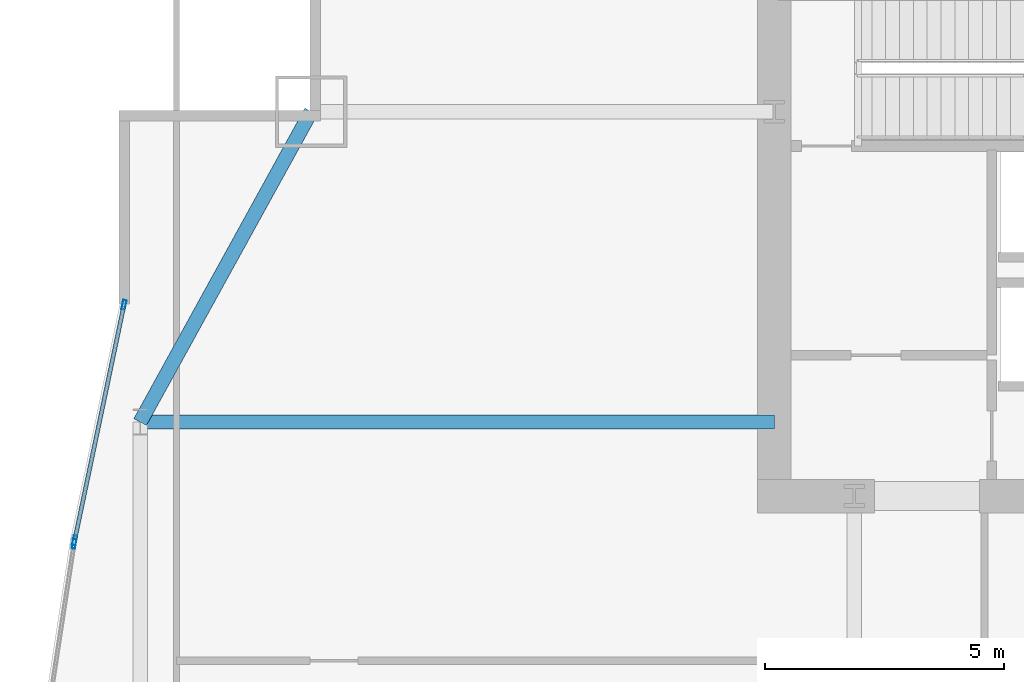
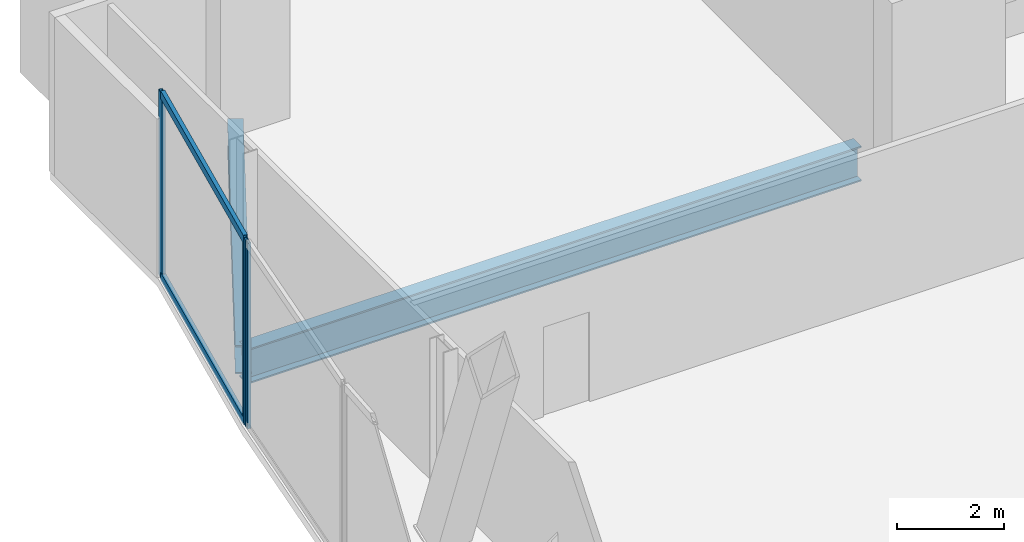
# One storey, part 18 of 32: 5 members, 2 beams, 2 elements without a shape of their own.
"""IFC4 building model written with IfcOpenShell, lengths in metres."""

from ifc_helpers import new_model, si_unit, direction, frame, origin, origin_2d, place, context, subcontext, project, spatial, hollow_rectangle, i_section, extrude, material, material_profile, profile_set, type_object, element, aggregate, save


model = new_model("IFC4")

# Units and contexts
model_context = context("Model", 3, precision=1e-05, world=origin(), true_north=direction((0.0, 1.0)))
body_context = subcontext(model_context, "Body", "Model", "MODEL_VIEW")
ifc_project = project(units=[si_unit("LENGTHUNIT", "METRE"), si_unit("AREAUNIT", "SQUARE_METRE"), si_unit("VOLUMEUNIT", "CUBIC_METRE"), si_unit("PLANEANGLEUNIT", "RADIAN"), si_unit("MASSUNIT", "GRAM", prefix="KILO")], contexts=[model_context])

# Site, building, storey
site_placement = place(None, origin())
site = spatial("IfcSite", under=ifc_project, at=site_placement, CompositionType="ELEMENT")
building_placement = place(site_placement, origin())
building = spatial("IfcBuilding", under=site, at=building_placement, Name="Khoronbel Lancet Exchange", CompositionType="ELEMENT")
storey_placement = place(building_placement, frame((0.0, 0.0, 106.60009765625)))
storey = spatial("IfcBuildingStorey", under=building, at=storey_placement, Name="L25", CompositionType="ELEMENT", Elevation=106.60009765625)

# Beams
ifc_material_1 = material(Name="Steel S355", Category="steel")
ifc_material_profile_1 = material_profile(ifc_material_1, i_section(OverallWidth=0.300048828125, OverallDepth=0.800048828125, WebThickness=0.017578125, FlangeThickness=0.032958984375, at=origin_2d()), Name="HEB 800")
ifc_profile_set_1 = profile_set([ifc_material_profile_1], Name="Steel S355")
beam_type_1 = type_object("IfcBeamType", Name="BM-BG2", PredefinedType="BEAM", material=ifc_profile_set_1)
beam_1_placement = place(storey_placement, frame((3.27001953125, 43.199951171875, -0.60009765625), z_axis=(1.0, 0.0, 0.0), x_axis=(0.0, 1.0, 0.0)))
element("IfcBeam", 1, at=beam_1_placement, inside=storey, type_object=beam_type_1, Name="Level L25 west lens tie girder LG3W", PredefinedType="BEAM", context=body_context, shape_type="SweptSolid", body=[
    extrude(i_section(OverallWidth=0.300048828125, OverallDepth=0.800048828125, WebThickness=0.017578125, FlangeThickness=0.032958984375, at=origin_2d()), origin(), (0.0, 0.0, 1.0), 13.280029296875),
])
ifc_material_profile_2 = material_profile(ifc_material_1, i_section(OverallWidth=0.300048828125, OverallDepth=0.64990234375, WebThickness=0.01611328125, FlangeThickness=0.031005859375, at=origin_2d()), Name="HEB 650")
ifc_profile_set_2 = profile_set([ifc_material_profile_2], Name="Steel S355")
beam_type_2 = type_object("IfcBeamType", Name="BM-BSP1", PredefinedType="SPANDREL", material=ifc_profile_set_2)
beam_2_placement = place(storey_placement, frame((6.85009765625, 49.699951171875, -0.525146484375), z_axis=(-0.482444051088, -0.875926787791, 0.0), x_axis=(0.875926787791, -0.482444051088, 0.0)))
element("IfcBeam", 2, at=beam_2_placement, inside=storey, type_object=beam_type_2, Name="Level L25 perimeter spandrel beam SP16", PredefinedType="SPANDREL", context=body_context, shape_type="SweptSolid", body=[
    extrude(i_section(OverallWidth=0.300048828125, OverallDepth=0.64990234375, WebThickness=0.01611328125, FlangeThickness=0.031005859375, at=origin_2d()), origin(), (0.0, 0.0, 1.0), 7.420654296875),
])

# Curtain wall, member
ifc_material_2 = material(Name="Low-E Solar Control Insulating Glass", Category="glass")
curtain_wall_type = type_object("IfcCurtainWallType", Name="CW-4", PredefinedType="NOTDEFINED", material=ifc_material_2)
curtain_wall_1_placement = place(storey_placement, origin())
curtain_wall_1 = element("IfcCurtainWall", 3, at=curtain_wall_1_placement, inside=storey, type_object=curtain_wall_type, Name="Unitised curtain wall CW-L25-E08", PredefinedType="NOTDEFINED")
ifc_material_3 = material(Name="Bronze-Anodised Aluminium 6063-T6", Category="aluminium")
ifc_material_profile_3 = material_profile(ifc_material_3, hollow_rectangle(XDim=0.074951171875, YDim=0.199951171875, WallThickness=0.0048828125, at=origin_2d()), Name="ALU MULLION 75x200")
ifc_profile_set_3 = profile_set([ifc_material_profile_3], Name="Bronze-Anodised Aluminium 6063-T6")
member_type_1 = type_object("IfcMemberType", Name="MEM-CWM2", PredefinedType="MULLION", material=ifc_profile_set_3)
member_1_placement = place(storey_placement, frame((1.884765625, 40.646728515625, 0.0), z_axis=(0.0, 0.0, 1.0), x_axis=(-0.988428154064, 0.151689763181, 0.0)))
member_1 = element("IfcMember", 4, at=member_1_placement, type_object=member_type_1, Name="CW4 mullion 2", PredefinedType="MULLION", context=body_context, shape_type="SweptSolid", body=[
    extrude(hollow_rectangle(XDim=0.074951171875, YDim=0.199951171875, WallThickness=0.0048828125, at=origin_2d()), origin(), (0.0, 0.0, 1.0), 4.239990234375),
])
aggregate(curtain_wall_1, [member_1])

# Curtain wall, members
curtain_wall_2_placement = place(storey_placement, origin())
curtain_wall_2 = element("IfcCurtainWall", 5, at=curtain_wall_2_placement, inside=storey, type_object=curtain_wall_type, Name="Unitised curtain wall CW-L25-E09", PredefinedType="NOTDEFINED")
member_2_placement = place(storey_placement, frame((1.898193359375, 40.720703125, 0.0), z_axis=(0.0, 0.0, 1.0), x_axis=(-0.97872923306, 0.205156253509, 0.0)))
member_2 = element("IfcMember", 6, at=member_2_placement, type_object=member_type_1, Name="CW4 mullion 1", PredefinedType="MULLION", context=body_context, shape_type="SweptSolid", body=[
    extrude(hollow_rectangle(XDim=0.074951171875, YDim=0.199951171875, WallThickness=0.0048828125, at=origin_2d()), origin(), (0.0, 0.0, 1.0), 4.239990234375),
])
member_3_placement = place(storey_placement, frame((2.932373046875, 45.654052734375, 0.0), z_axis=(0.0, 0.0, 1.0), x_axis=(-0.97872923306, 0.205156253509, 0.0)))
member_3 = element("IfcMember", 7, at=member_3_placement, type_object=member_type_1, Name="CW4 mullion 2", PredefinedType="MULLION", context=body_context, shape_type="SweptSolid", body=[
    extrude(hollow_rectangle(XDim=0.074951171875, YDim=0.199951171875, WallThickness=0.0048828125, at=origin_2d()), origin(), (0.0, 0.0, 1.0), 4.239990234375),
])
ifc_material_profile_4 = material_profile(ifc_material_3, hollow_rectangle(XDim=0.0849609375, YDim=0.179931640625, WallThickness=0.0048828125, at=origin_2d()), Name="ALU TRANSOM 85x180")
ifc_profile_set_4 = profile_set([ifc_material_profile_4], Name="Bronze-Anodised Aluminium 6063-T6")
member_type_2 = type_object("IfcMemberType", Name="MEM-CWT1", PredefinedType="USERDEFINED", material=ifc_profile_set_4)
member_4_placement = place(storey_placement, frame((1.906005859375, 40.75732421875, 0.04248046875), z_axis=(0.205128245357, 0.978735103568, 0.0), x_axis=(-0.978735103568, 0.205128245357, 0.0)))
member_4 = element("IfcMember", 8, at=member_4_placement, type_object=member_type_2, Name="CW4 transom 1.1", ObjectType="TRANSOM", PredefinedType="USERDEFINED", context=body_context, shape_type="SweptSolid", body=[
    extrude(hollow_rectangle(XDim=0.0849609375, YDim=0.179931640625, WallThickness=0.0048828125, at=origin_2d()), origin(), (0.0, 0.0, 1.0), 4.96533203125),
])
member_5_placement = place(storey_placement, frame((1.906005859375, 40.75732421875, 4.197509765625), z_axis=(0.205128245357, 0.978735103568, 0.0), x_axis=(-0.978735103568, 0.205128245357, 0.0)))
member_5 = element("IfcMember", 9, at=member_5_placement, type_object=member_type_2, Name="CW4 transom 1.2", ObjectType="TRANSOM", PredefinedType="USERDEFINED", context=body_context, shape_type="SweptSolid", body=[
    extrude(hollow_rectangle(XDim=0.0849609375, YDim=0.179931640625, WallThickness=0.0048828125, at=origin_2d()), origin(), (0.0, 0.0, 1.0), 4.96533203125),
])
aggregate(curtain_wall_2, [member_2, member_3, member_4, member_5])

save(model, "model.ifc")
